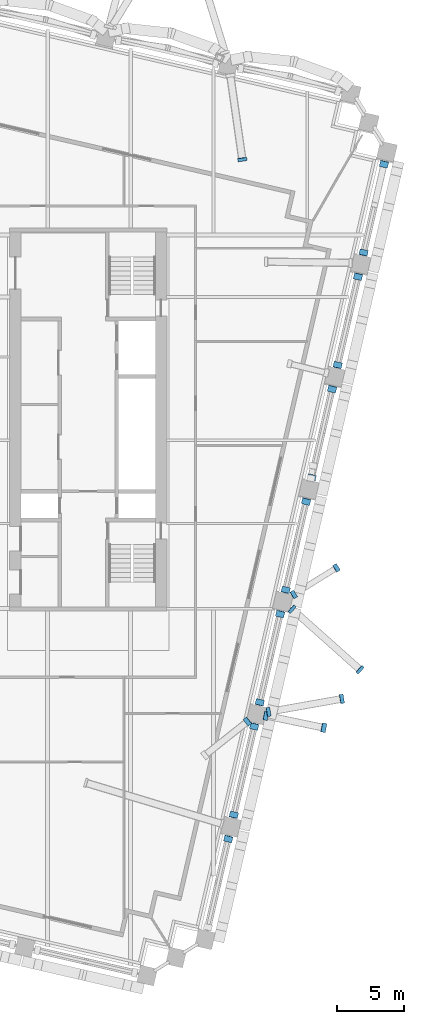
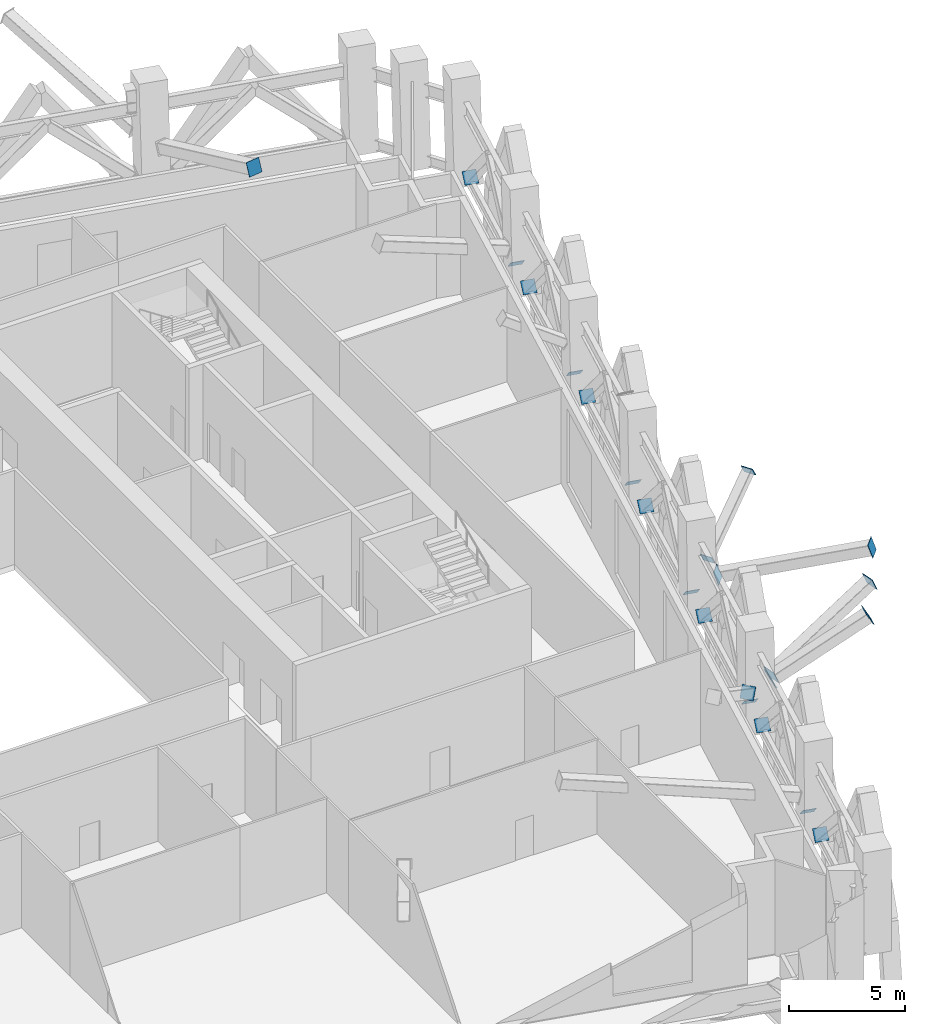
# One storey, part 13 of 20: 23 discrete accessories.
"""IFC4 building model written with IfcOpenShell, lengths in metres."""

from ifc_helpers import new_model, si_unit, direction, frame, origin, origin_2d, place, context, subcontext, project, spatial, rectangle, extrude, material, material_profile, profile_set, type_object, element, save


model = new_model("IFC4")

# Units and contexts
model_context = context("Model", 3, precision=1e-05, world=origin(), true_north=direction((0.0, 1.0)))
body_context = subcontext(model_context, "Body", "Model", "MODEL_VIEW")
ifc_project = project(units=[si_unit("LENGTHUNIT", "METRE"), si_unit("AREAUNIT", "SQUARE_METRE"), si_unit("VOLUMEUNIT", "CUBIC_METRE"), si_unit("PLANEANGLEUNIT", "RADIAN"), si_unit("MASSUNIT", "GRAM", prefix="KILO")], contexts=[model_context])

# Site, building, storey
site_placement = place(None, origin())
site = spatial("IfcSite", under=ifc_project, at=site_placement, CompositionType="ELEMENT")
building_placement = place(site_placement, origin())
building = spatial("IfcBuilding", under=site, at=building_placement, Name="Ogive Exchange Tower", CompositionType="ELEMENT")
storey_placement = place(building_placement, frame((0.0, 0.0, 160.199951171875)))
storey = spatial("IfcBuildingStorey", under=building, at=storey_placement, Name="L35", CompositionType="ELEMENT", Elevation=160.199951171875)

# Discrete accessories
ifc_material = material(Name="Steel ASTM A572 Gr50", Category="steel")
ifc_material_profile_1 = material_profile(ifc_material, rectangle(XDim=0.576904296875, YDim=0.576904296875, at=origin_2d()), Name="PL 577 x 577 x 25")
ifc_profile_set_1 = profile_set([ifc_material_profile_1], Name="Steel ASTM A572 Gr50")
discrete_accessory_type_1 = type_object("IfcDiscreteAccessoryType", Name="Gusset plate 577 x 577 x 25", PredefinedType="USERDEFINED", material=ifc_profile_set_1)
discrete_accessory_1_placement = place(storey_placement, frame((31.294189453125, -1.54150390625, 2.41845703125), z_axis=(0.725037363359, 0.44090109934, 0.529081319208), x_axis=(-0.519580604718, 0.85442143887, 0.0)))
element("IfcDiscreteAccessory", 1, at=discrete_accessory_1_placement, inside=storey, type_object=discrete_accessory_type_1, Name="Block-change strut 9 end plate A", ObjectType="GUSSET PLATE", PredefinedType="USERDEFINED", context=body_context, shape_type="SweptSolid", body=[
    extrude(rectangle(XDim=0.576904296875, YDim=0.576904296875, at=origin_2d()), origin(), (0.0, 0.0, 1.0), 0.02490234375),
])
discrete_accessory_2_placement = place(storey_placement, frame((34.4765625, 0.439453125, 4.74267578125), z_axis=(0.721891100211, 0.448743116347, 0.526785397451), x_axis=(-0.527934121126, 0.849285325289, 0.0)))
element("IfcDiscreteAccessory", 2, at=discrete_accessory_2_placement, inside=storey, type_object=discrete_accessory_type_1, Name="Block-change strut 9 end plate B", ObjectType="GUSSET PLATE", PredefinedType="USERDEFINED", context=body_context, shape_type="SweptSolid", body=[
    extrude(rectangle(XDim=0.576904296875, YDim=0.576904296875, at=origin_2d()), origin(), (0.0, 0.0, 1.0), 0.025146484375),
])
ifc_material_profile_2 = material_profile(ifc_material, rectangle(XDim=0.6279296875, YDim=0.6279296875, at=origin_2d()), Name="PL 628 x 628 x 25")
ifc_profile_set_2 = profile_set([ifc_material_profile_2], Name="Steel ASTM A572 Gr50")
discrete_accessory_type_2 = type_object("IfcDiscreteAccessoryType", Name="Gusset plate 628 x 628 x 25", PredefinedType="USERDEFINED", material=ifc_profile_set_2)
for number, where, z_axis, x_axis, name in (
    (3, (26.42626953125, -19.73291015625, 0.66796875), (-0.165792520872, -0.7021800884, 0.692427587172), (0.97323960179, -0.229792683756, 0.0), "Belt truss diagonal 9b end plate A"),
    (4, (26.83642578125, -17.956298828125, 0.66796875), (0.16576099239, 0.711797202617, 0.682545262784), (-0.973939528804, 0.226807835475, 0.0), "Belt truss diagonal 10a end plate A"),
    (5, (28.35986328125, -11.357666015625, 0.66796875), (-0.165792520872, -0.692427587172, 0.7021800884), (0.972511496915, -0.232854865459, 0.0), "Belt truss diagonal 10b end plate A"),
    (6, (28.77001953125, -9.580810546875, 0.66796875), (0.16576099239, 0.711797202617, 0.682545262784), (-0.973939528804, 0.226807835475, 0.0), "Belt truss diagonal 11a end plate A"),
):
    element("IfcDiscreteAccessory", number, at=place(storey_placement, frame(where, z_axis=z_axis, x_axis=x_axis)), inside=storey, type_object=discrete_accessory_type_2, Name=name, ObjectType="GUSSET PLATE", PredefinedType="USERDEFINED", context=body_context, shape_type="SweptSolid", body=[
        extrude(rectangle(XDim=0.6279296875, YDim=0.6279296875, at=origin_2d()), origin(), (0.0, 0.0, 1.0), 0.025146484375),
    ])
discrete_accessory_3_placement = place(storey_placement, frame((30.29345703125, -2.982421875, 0.66796875), z_axis=(-0.166915524868, -0.687299220044, 0.706936340617), x_axis=(0.971753703944, -0.235997328101, 0.0)))
element("IfcDiscreteAccessory", 7, at=discrete_accessory_3_placement, inside=storey, type_object=discrete_accessory_type_2, Name="Belt truss diagonal 11b end plate A", ObjectType="GUSSET PLATE", PredefinedType="USERDEFINED", context=body_context, shape_type="SweptSolid", body=[
    extrude(rectangle(XDim=0.6279296875, YDim=0.6279296875, at=origin_2d()), origin(), (0.0, 0.0, 1.0), 0.02490234375),
])
for number, where, z_axis, x_axis, name in (
    (8, (30.70361328125, -1.205322265625, 0.66796875), (0.16576099239, 0.711797202617, 0.682545262784), (-0.973939528804, 0.226807835475, 0.0), "Belt truss diagonal 12a end plate A"),
    (9, (32.22705078125, 5.39306640625, 0.66796875), (-0.16576099239, -0.682545262784, 0.711797202617), (0.971753703944, -0.235997328101, 0.0), "Belt truss diagonal 12b end plate A"),
    (10, (32.63720703125, 7.169921875, 0.66796875), (0.16569798935, 0.721273600701, 0.672538897951), (-0.974612694662, 0.223897510936, 0.0), "Belt truss diagonal 13a end plate A"),
    (11, (34.16064453125, 13.7685546875, 0.66796875), (-0.16576099239, -0.682545262784, 0.711797202617), (0.971753703944, -0.235997328101, 0.0), "Belt truss diagonal 13b end plate A"),
    (12, (34.57080078125, 15.54541015625, 0.66796875), (0.16569798935, 0.721273600701, 0.672538897951), (-0.974612694662, 0.223897510936, 0.0), "Belt truss diagonal 14a end plate A"),
):
    element("IfcDiscreteAccessory", number, at=place(storey_placement, frame(where, z_axis=z_axis, x_axis=x_axis)), inside=storey, type_object=discrete_accessory_type_2, Name=name, ObjectType="GUSSET PLATE", PredefinedType="USERDEFINED", context=body_context, shape_type="SweptSolid", body=[
        extrude(rectangle(XDim=0.6279296875, YDim=0.6279296875, at=origin_2d()), origin(), (0.0, 0.0, 1.0), 0.025146484375),
    ])
discrete_accessory_4_placement = place(storey_placement, frame((36.09423828125, 22.143798828125, 0.66796875), z_axis=(-0.156196085714, -0.673595619642, 0.722406896428), x_axis=(0.974152703704, -0.225890482018, 0.0)))
element("IfcDiscreteAccessory", 13, at=discrete_accessory_4_placement, inside=storey, type_object=discrete_accessory_type_2, Name="Belt truss diagonal 14b end plate A", ObjectType="GUSSET PLATE", PredefinedType="USERDEFINED", context=body_context, shape_type="SweptSolid", body=[
    extrude(rectangle(XDim=0.6279296875, YDim=0.6279296875, at=origin_2d()), origin(), (0.0, 0.0, 1.0), 0.02490234375),
])
discrete_accessory_5_placement = place(storey_placement, frame((36.50439453125, 23.920654296875, 0.66796875), z_axis=(0.165603619344, 0.730604202988, 0.662414477376), x_axis=(-0.975260429307, 0.221059030643, 0.0)))
element("IfcDiscreteAccessory", 14, at=discrete_accessory_5_placement, inside=storey, type_object=discrete_accessory_type_2, Name="Belt truss diagonal 15a end plate A", ObjectType="GUSSET PLATE", PredefinedType="USERDEFINED", context=body_context, shape_type="SweptSolid", body=[
    extrude(rectangle(XDim=0.6279296875, YDim=0.6279296875, at=origin_2d()), origin(), (0.0, 0.0, 1.0), 0.025146484375),
])
for number, where, z_axis, x_axis, name in (
    (15, (38.02783203125, 30.519287109375, 0.66796875), (-0.156196085714, -0.673595619642, 0.722406896428), (0.974152703704, -0.225890482018, 0.0), "Belt truss diagonal 15b end plate A"),
    (16, (27.85888671875, -10.994873046875, 2.33154296875), (-0.668306685545, -0.540542172132, 0.511058053652), (0.628869249431, -0.777511072024, 0.0), "Block-change strut 6 end plate A"),
):
    element("IfcDiscreteAccessory", number, at=place(storey_placement, frame(where, z_axis=z_axis, x_axis=x_axis)), inside=storey, type_object=discrete_accessory_type_2, Name=name, ObjectType="GUSSET PLATE", PredefinedType="USERDEFINED", context=body_context, shape_type="SweptSolid", body=[
        extrude(rectangle(XDim=0.6279296875, YDim=0.6279296875, at=origin_2d()), origin(), (0.0, 0.0, 1.0), 0.02490234375),
    ])
ifc_material_profile_3 = material_profile(ifc_material, rectangle(XDim=0.678955078125, YDim=0.678955078125, at=origin_2d()), Name="PL 679 x 679 x 25")
ifc_profile_set_3 = profile_set([ifc_material_profile_3], Name="Steel ASTM A572 Gr50")
discrete_accessory_type_3 = type_object("IfcDiscreteAccessoryType", Name="Gusset plate 679 x 679 x 25", PredefinedType="USERDEFINED", material=ifc_profile_set_3)
for number, where, z_axis, x_axis, name in (
    (17, (29.22412109375, -10.5634765625, 2.304443359375), (0.860062618925, -0.175921899326, 0.47889850372), (0.200396236149, 0.979714932283, 0.0), "Block-change strut 7 end plate A"),
    (18, (33.52978515625, -11.46240234375, 4.6923828125), (0.860062618925, -0.175921899326, 0.47889850372), (0.200396236149, 0.979714932283, 0.0), "Block-change strut 7 end plate B"),
    (19, (31.171142578125, -2.619873046875, 2.286376953125), (0.704799295375, -0.626488262556, 0.332821889483), (0.66436383883, 0.747409318684, 0.0), "Block-change strut 8 end plate A"),
):
    element("IfcDiscreteAccessory", number, at=place(storey_placement, frame(where, z_axis=z_axis, x_axis=x_axis)), inside=storey, type_object=discrete_accessory_type_3, Name=name, ObjectType="GUSSET PLATE", PredefinedType="USERDEFINED", context=body_context, shape_type="SweptSolid", body=[
        extrude(rectangle(XDim=0.678955078125, YDim=0.678955078125, at=origin_2d()), origin(), (0.0, 0.0, 1.0), 0.02490234375),
    ])
discrete_accessory_6_placement = place(storey_placement, frame((36.231689453125, -7.133544921875, 4.67822265625), z_axis=(0.700483235271, -0.632380698509, 0.330783749989), x_axis=(0.670103092784, 0.742268041237, 0.0)))
element("IfcDiscreteAccessory", 20, at=discrete_accessory_6_placement, inside=storey, type_object=discrete_accessory_type_3, Name="Block-change strut 8 end plate B", ObjectType="GUSSET PLATE", PredefinedType="USERDEFINED", context=body_context, shape_type="SweptSolid", body=[
    extrude(rectangle(XDim=0.678955078125, YDim=0.678955078125, at=origin_2d()), origin(), (0.0, 0.0, 1.0), 0.025146484375),
])
discrete_accessory_7_placement = place(storey_placement, frame((27.472900390625, 30.874267578125, 4.6796875), z_axis=(0.126927465531, -0.927546863498, 0.35149144301), x_axis=(0.990766595527, 0.135578586756, 0.0)))
element("IfcDiscreteAccessory", 21, at=discrete_accessory_7_placement, inside=storey, type_object=discrete_accessory_type_3, Name="Block-change strut 13 end plate B", ObjectType="GUSSET PLATE", PredefinedType="USERDEFINED", context=body_context, shape_type="SweptSolid", body=[
    extrude(rectangle(XDim=0.678955078125, YDim=0.678955078125, at=origin_2d()), origin(), (0.0, 0.0, 1.0), 0.02490234375),
])
discrete_accessory_8_placement = place(storey_placement, frame((29.413818359375, -10.279541015625, 2.29345703125), z_axis=(0.905949211705, 0.165603619344, 0.389655574927), x_axis=(-0.179816171266, 0.983700231042, 0.0)))
element("IfcDiscreteAccessory", 22, at=discrete_accessory_8_placement, inside=storey, type_object=discrete_accessory_type_3, Name="Block-change strut 31 end plate A", ObjectType="GUSSET PLATE", PredefinedType="USERDEFINED", context=body_context, shape_type="SweptSolid", body=[
    extrude(rectangle(XDim=0.678955078125, YDim=0.678955078125, at=origin_2d()), origin(), (0.0, 0.0, 1.0), 0.025146484375),
])
discrete_accessory_9_placement = place(storey_placement, frame((34.877685546875, -9.31201171875, 4.683349609375), z_axis=(0.902090852926, 0.156885365726, 0.402018749673), x_axis=(-0.171341174751, 0.98521175482, 0.0)))
element("IfcDiscreteAccessory", 23, at=discrete_accessory_9_placement, inside=storey, type_object=discrete_accessory_type_3, Name="Block-change strut 31 end plate B", ObjectType="GUSSET PLATE", PredefinedType="USERDEFINED", context=body_context, shape_type="SweptSolid", body=[
    extrude(rectangle(XDim=0.678955078125, YDim=0.678955078125, at=origin_2d()), origin(), (0.0, 0.0, 1.0), 0.02490234375),
])

save(model, "model.ifc")
